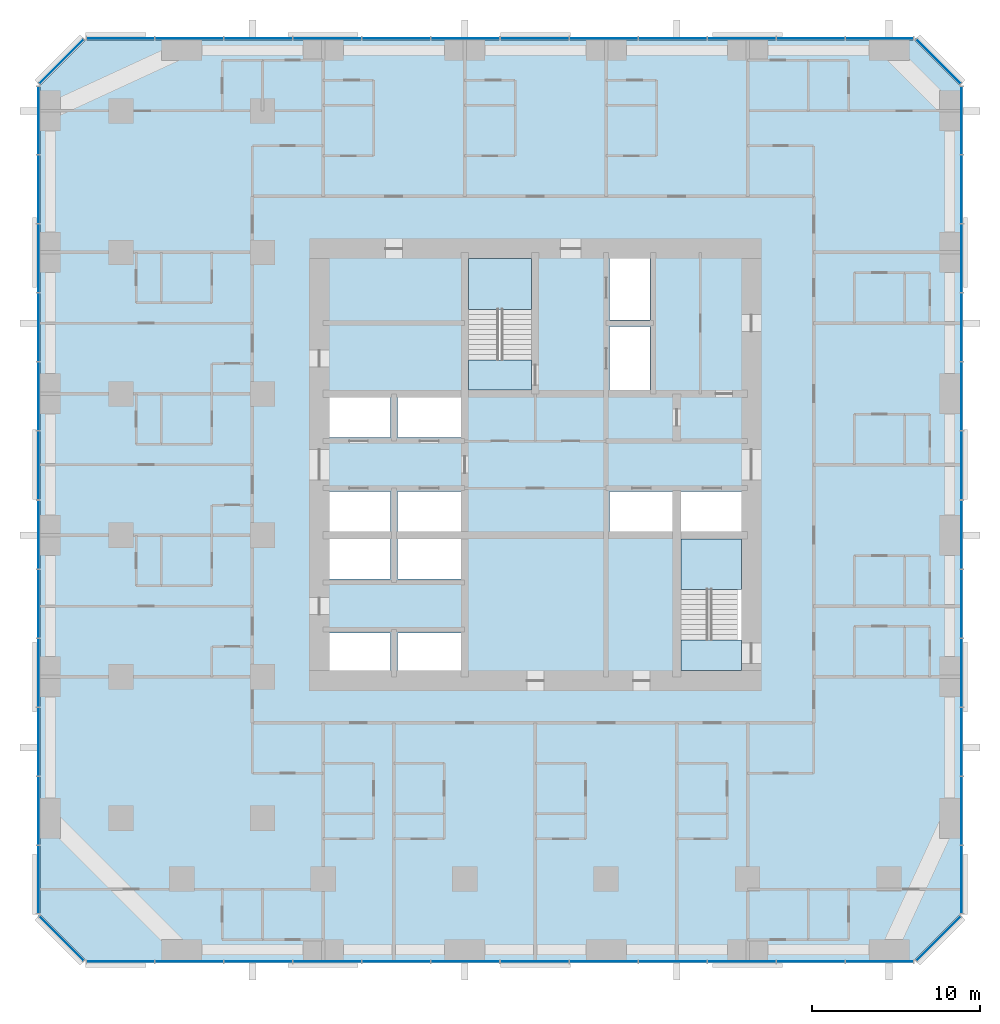
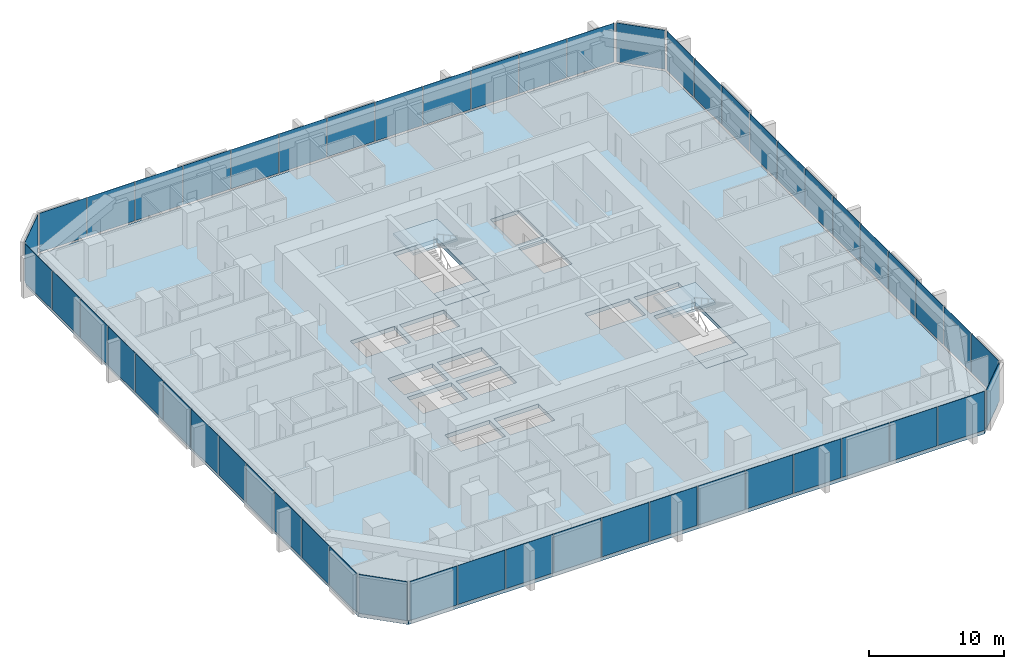
# One storey, part 7 of 14: 52 plates, 5 slabs, 10 elements without a shape of their own.
"""IFC4 building model written with IfcOpenShell, lengths in metres."""

from ifc_helpers import new_model, si_unit, direction, frame, origin, origin_2d, place, context, subcontext, project, spatial, polyline, rectangle, outline, extrude, material, layer, layer_set, type_object, element, aggregate, save


model = new_model("IFC4")

# Units and contexts
model_context = context("Model", 3, precision=1e-05, world=origin(), true_north=direction((0.0, 1.0)))
body_context = subcontext(model_context, "Body", "Model", "MODEL_VIEW")
ifc_project = project(units=[si_unit("LENGTHUNIT", "METRE"), si_unit("AREAUNIT", "SQUARE_METRE"), si_unit("VOLUMEUNIT", "CUBIC_METRE"), si_unit("PLANEANGLEUNIT", "RADIAN"), si_unit("MASSUNIT", "GRAM", prefix="KILO")], contexts=[model_context])

# Site, building, storey
site_placement = place(None, origin())
site = spatial("IfcSite", under=ifc_project, at=site_placement, CompositionType="ELEMENT")
building_placement = place(site_placement, origin())
building = spatial("IfcBuilding", under=site, at=building_placement, Name="Dunama Terrace Hotel", CompositionType="ELEMENT")
storey_placement = place(building_placement, frame((0.0, 0.0, 100.800048828125)))
storey = spatial("IfcBuildingStorey", under=building, at=storey_placement, Name="L25", CompositionType="ELEMENT", Elevation=100.800048828125)

# Curtain wall, plates
ifc_material_1 = material(Name="Aluminium curtain wall system", Category="aluminium")
curtain_wall_type = type_object("IfcCurtainWallType", Name="Unitised fritted glass wall CW-B", PredefinedType="NOTDEFINED", material=ifc_material_1)
curtain_wall_1_placement = place(storey_placement, origin())
curtain_wall_1 = element("IfcCurtainWall", 1, at=curtain_wall_1_placement, inside=storey, type_object=curtain_wall_type, Name="Unitised fritted glass wall CW-B L25", PredefinedType="NOTDEFINED")
ifc_material_2 = material(Name="Laminated glass", Category="glass")
ifc_layer_1 = layer(ifc_material_2, 0.030029296875)
ifc_layer_set_1 = layer_set([ifc_layer_1], Name="CWB clear glass panel")
plate_type_1 = type_object("IfcPlateType", Name="CWB clear glass panel", PredefinedType="CURTAIN_PANEL", material=ifc_layer_set_1)
plate_1_placement = place(storey_placement, frame((8.85009765625, -0.110107421875, 0.079833984375), z_axis=(0.0, 0.0, 1.0), x_axis=(1.0, 0.0, 0.0)))
plate_1 = element("IfcPlate", 2, at=plate_1_placement, type_object=plate_type_1, Name="CWB clear glass panel", PredefinedType="CURTAIN_PANEL", context=body_context, shape_type="SweptSolid", body=[
    extrude(rectangle(XDim=4.034912109375, YDim=0.030029296875, at=origin_2d()), origin(), (0.0, 0.0, 1.0), 3.52001953125),
])
plate_2_placement = place(storey_placement, frame((21.14990234375, -0.110107421875, 0.079833984375), z_axis=(0.0, 0.0, 1.0), x_axis=(1.0, 0.0, 0.0)))
plate_2 = element("IfcPlate", 3, at=plate_2_placement, type_object=plate_type_1, Name="CWB clear glass panel", PredefinedType="CURTAIN_PANEL", context=body_context, shape_type="SweptSolid", body=[
    extrude(rectangle(XDim=4.034912109375, YDim=0.030029296875, at=origin_2d()), origin(), (0.0, 0.0, 1.0), 3.52001953125),
])
plate_3_placement = place(storey_placement, frame((33.449951171875, -0.110107421875, 0.079833984375), z_axis=(0.0, 0.0, 1.0), x_axis=(1.0, 0.0, 0.0)))
plate_3 = element("IfcPlate", 4, at=plate_3_placement, type_object=plate_type_1, Name="CWB clear glass panel", PredefinedType="CURTAIN_PANEL", context=body_context, shape_type="SweptSolid", body=[
    extrude(rectangle(XDim=4.034912109375, YDim=0.030029296875, at=origin_2d()), origin(), (0.0, 0.0, 1.0), 3.52001953125),
])
plate_4_placement = place(storey_placement, frame((45.75, -0.110107421875, 0.079833984375), z_axis=(0.0, 0.0, 1.0), x_axis=(1.0, 0.0, 0.0)))
plate_4 = element("IfcPlate", 5, at=plate_4_placement, type_object=plate_type_1, Name="CWB clear glass panel", PredefinedType="CURTAIN_PANEL", context=body_context, shape_type="SweptSolid", body=[
    extrude(rectangle(XDim=4.034912109375, YDim=0.030029296875, at=origin_2d()), origin(), (0.0, 0.0, 1.0), 3.52001953125),
])

curtain_wall_2_placement = place(storey_placement, origin())
curtain_wall_2 = element("IfcCurtainWall", 6, at=curtain_wall_2_placement, inside=storey, type_object=curtain_wall_type, Name="Unitised fritted glass wall CW-B L25", PredefinedType="NOTDEFINED")
plate_5_placement = place(storey_placement, frame((54.7099609375, 4.76611328125, 0.079833984375), z_axis=(0.0, 0.0, 1.0), x_axis=(0.0, 1.0, 0.0)))
plate_5 = element("IfcPlate", 7, at=plate_5_placement, type_object=plate_type_1, Name="CWB clear glass panel", PredefinedType="CURTAIN_PANEL", context=body_context, shape_type="SweptSolid", body=[
    extrude(rectangle(XDim=4.00244140625, YDim=0.030029296875, at=origin_2d()), origin(), (0.0, 0.0, 1.0), 3.52001953125),
])
plate_6_placement = place(storey_placement, frame((54.7099609375, 17.050048828125, 0.079833984375), z_axis=(0.0, 0.0, 1.0), x_axis=(0.0, 1.0, 0.0)))
plate_6 = element("IfcPlate", 8, at=plate_6_placement, type_object=plate_type_1, Name="CWB clear glass panel", PredefinedType="CURTAIN_PANEL", context=body_context, shape_type="SweptSolid", body=[
    extrude(rectangle(XDim=4.034912109375, YDim=0.030029296875, at=origin_2d()), origin(), (0.0, 0.0, 1.0), 3.52001953125),
])
plate_7_placement = place(storey_placement, frame((54.7099609375, 29.35009765625, 0.079833984375), z_axis=(0.0, 0.0, 1.0), x_axis=(0.0, 1.0, 0.0)))
plate_7 = element("IfcPlate", 9, at=plate_7_placement, type_object=plate_type_1, Name="CWB clear glass panel", PredefinedType="CURTAIN_PANEL", context=body_context, shape_type="SweptSolid", body=[
    extrude(rectangle(XDim=4.034912109375, YDim=0.030029296875, at=origin_2d()), origin(), (0.0, 0.0, 1.0), 3.52001953125),
])
plate_8_placement = place(storey_placement, frame((54.7099609375, 41.64990234375, 0.079833984375), z_axis=(0.0, 0.0, 1.0), x_axis=(0.0, 1.0, 0.0)))
plate_8 = element("IfcPlate", 10, at=plate_8_placement, type_object=plate_type_1, Name="CWB clear glass panel", PredefinedType="CURTAIN_PANEL", context=body_context, shape_type="SweptSolid", body=[
    extrude(rectangle(XDim=4.034912109375, YDim=0.030029296875, at=origin_2d()), origin(), (0.0, 0.0, 1.0), 3.52001953125),
])

# Curtain wall, plate
curtain_wall_3_placement = place(storey_placement, origin())
curtain_wall_3 = element("IfcCurtainWall", 11, at=curtain_wall_3_placement, inside=storey, type_object=curtain_wall_type, Name="Unitised fritted glass wall CW-B L25", PredefinedType="NOTDEFINED")
plate_9_placement = place(storey_placement, frame((53.327880859375, 53.327880859375, 0.079833984375), z_axis=(0.0, 0.0, 1.0), x_axis=(-0.707106781187, 0.707106781187, 0.0)))
plate_9 = element("IfcPlate", 12, at=plate_9_placement, type_object=plate_type_1, Name="CWB clear glass panel", PredefinedType="CURTAIN_PANEL", context=body_context, shape_type="SweptSolid", body=[
    extrude(rectangle(XDim=3.6884765625, YDim=0.030029296875, at=origin_2d()), origin(), (0.0, 0.0, 1.0), 3.52001953125),
])
aggregate(curtain_wall_3, [plate_9])

# Curtain wall, plates
curtain_wall_4_placement = place(storey_placement, origin())
curtain_wall_4 = element("IfcCurtainWall", 13, at=curtain_wall_4_placement, inside=storey, type_object=curtain_wall_type, Name="Unitised fritted glass wall CW-B L25", PredefinedType="NOTDEFINED")
plate_10_placement = place(storey_placement, frame((41.64990234375, 54.7099609375, 0.079833984375), z_axis=(0.0, 0.0, 1.0), x_axis=(-1.0, 0.0, 0.0)))
plate_10 = element("IfcPlate", 14, at=plate_10_placement, type_object=plate_type_1, Name="CWB clear glass panel", PredefinedType="CURTAIN_PANEL", context=body_context, shape_type="SweptSolid", body=[
    extrude(rectangle(XDim=4.034912109375, YDim=0.030029296875, at=origin_2d()), origin(), (0.0, 0.0, 1.0), 3.52001953125),
])
plate_11_placement = place(storey_placement, frame((29.35009765625, 54.7099609375, 0.079833984375), z_axis=(0.0, 0.0, 1.0), x_axis=(-1.0, 0.0, 0.0)))
plate_11 = element("IfcPlate", 15, at=plate_11_placement, type_object=plate_type_1, Name="CWB clear glass panel", PredefinedType="CURTAIN_PANEL", context=body_context, shape_type="SweptSolid", body=[
    extrude(rectangle(XDim=4.034912109375, YDim=0.030029296875, at=origin_2d()), origin(), (0.0, 0.0, 1.0), 3.52001953125),
])
plate_12_placement = place(storey_placement, frame((17.050048828125, 54.7099609375, 0.079833984375), z_axis=(0.0, 0.0, 1.0), x_axis=(-1.0, 0.0, 0.0)))
plate_12 = element("IfcPlate", 16, at=plate_12_placement, type_object=plate_type_1, Name="CWB clear glass panel", PredefinedType="CURTAIN_PANEL", context=body_context, shape_type="SweptSolid", body=[
    extrude(rectangle(XDim=4.034912109375, YDim=0.030029296875, at=origin_2d()), origin(), (0.0, 0.0, 1.0), 3.52001953125),
])
plate_13_placement = place(storey_placement, frame((4.76611328125, 54.7099609375, 0.079833984375), z_axis=(0.0, 0.0, 1.0), x_axis=(-1.0, 0.0, 0.0)))
plate_13 = element("IfcPlate", 17, at=plate_13_placement, type_object=plate_type_1, Name="CWB clear glass panel", PredefinedType="CURTAIN_PANEL", context=body_context, shape_type="SweptSolid", body=[
    extrude(rectangle(XDim=4.00244140625, YDim=0.030029296875, at=origin_2d()), origin(), (0.0, 0.0, 1.0), 3.52001953125),
])

curtain_wall_5_placement = place(storey_placement, origin())
curtain_wall_5 = element("IfcCurtainWall", 18, at=curtain_wall_5_placement, inside=storey, type_object=curtain_wall_type, Name="Unitised fritted glass wall CW-B L25", PredefinedType="NOTDEFINED")
plate_14_placement = place(storey_placement, frame((-0.110107421875, 45.75, 0.079833984375), z_axis=(0.0, 0.0, 1.0), x_axis=(0.0, -1.0, 0.0)))
plate_14 = element("IfcPlate", 19, at=plate_14_placement, type_object=plate_type_1, Name="CWB clear glass panel", PredefinedType="CURTAIN_PANEL", context=body_context, shape_type="SweptSolid", body=[
    extrude(rectangle(XDim=4.034912109375, YDim=0.030029296875, at=origin_2d()), origin(), (0.0, 0.0, 1.0), 3.52001953125),
])
plate_15_placement = place(storey_placement, frame((-0.110107421875, 33.449951171875, 0.079833984375), z_axis=(0.0, 0.0, 1.0), x_axis=(0.0, -1.0, 0.0)))
plate_15 = element("IfcPlate", 20, at=plate_15_placement, type_object=plate_type_1, Name="CWB clear glass panel", PredefinedType="CURTAIN_PANEL", context=body_context, shape_type="SweptSolid", body=[
    extrude(rectangle(XDim=4.034912109375, YDim=0.030029296875, at=origin_2d()), origin(), (0.0, 0.0, 1.0), 3.52001953125),
])
plate_16_placement = place(storey_placement, frame((-0.110107421875, 21.14990234375, 0.079833984375), z_axis=(0.0, 0.0, 1.0), x_axis=(0.0, -1.0, 0.0)))
plate_16 = element("IfcPlate", 21, at=plate_16_placement, type_object=plate_type_1, Name="CWB clear glass panel", PredefinedType="CURTAIN_PANEL", context=body_context, shape_type="SweptSolid", body=[
    extrude(rectangle(XDim=4.034912109375, YDim=0.030029296875, at=origin_2d()), origin(), (0.0, 0.0, 1.0), 3.52001953125),
])
plate_17_placement = place(storey_placement, frame((-0.110107421875, 8.85009765625, 0.079833984375), z_axis=(0.0, 0.0, 1.0), x_axis=(0.0, -1.0, 0.0)))
plate_17 = element("IfcPlate", 22, at=plate_17_placement, type_object=plate_type_1, Name="CWB clear glass panel", PredefinedType="CURTAIN_PANEL", context=body_context, shape_type="SweptSolid", body=[
    extrude(rectangle(XDim=4.034912109375, YDim=0.030029296875, at=origin_2d()), origin(), (0.0, 0.0, 1.0), 3.52001953125),
])

# Plate
ifc_material_3 = material(Name="Fritted laminated glass", Category="glass")
ifc_layer_2 = layer(ifc_material_3, 0.030029296875)
ifc_layer_set_2 = layer_set([ifc_layer_2], Name="CWB fritted glass panel")
plate_type_2 = type_object("IfcPlateType", Name="CWB fritted glass panel", PredefinedType="CURTAIN_PANEL", material=ifc_layer_set_2)
plate_18_placement = place(storey_placement, frame((4.76611328125, -0.110107421875, 0.079833984375), z_axis=(0.0, 0.0, 1.0), x_axis=(1.0, 0.0, 0.0)))
plate_18 = element("IfcPlate", 23, at=plate_18_placement, type_object=plate_type_2, Name="CWB fritted glass panel", PredefinedType="CURTAIN_PANEL", context=body_context, shape_type="SweptSolid", body=[
    extrude(rectangle(XDim=4.00244140625, YDim=0.030029296875, at=origin_2d()), origin(), (0.0, 0.0, 1.0), 3.52001953125),
])

plate_19_placement = place(storey_placement, frame((17.050048828125, -0.110107421875, 0.079833984375), z_axis=(0.0, 0.0, 1.0), x_axis=(1.0, 0.0, 0.0)))
plate_19 = element("IfcPlate", 24, at=plate_19_placement, type_object=plate_type_2, Name="CWB fritted glass panel", PredefinedType="CURTAIN_PANEL", context=body_context, shape_type="SweptSolid", body=[
    extrude(rectangle(XDim=4.034912109375, YDim=0.030029296875, at=origin_2d()), origin(), (0.0, 0.0, 1.0), 3.52001953125),
])

plate_20_placement = place(storey_placement, frame((29.35009765625, -0.110107421875, 0.079833984375), z_axis=(0.0, 0.0, 1.0), x_axis=(1.0, 0.0, 0.0)))
plate_20 = element("IfcPlate", 25, at=plate_20_placement, type_object=plate_type_2, Name="CWB fritted glass panel", PredefinedType="CURTAIN_PANEL", context=body_context, shape_type="SweptSolid", body=[
    extrude(rectangle(XDim=4.034912109375, YDim=0.030029296875, at=origin_2d()), origin(), (0.0, 0.0, 1.0), 3.52001953125),
])

plate_21_placement = place(storey_placement, frame((41.64990234375, -0.110107421875, 0.079833984375), z_axis=(0.0, 0.0, 1.0), x_axis=(1.0, 0.0, 0.0)))
plate_21 = element("IfcPlate", 26, at=plate_21_placement, type_object=plate_type_2, Name="CWB fritted glass panel", PredefinedType="CURTAIN_PANEL", context=body_context, shape_type="SweptSolid", body=[
    extrude(rectangle(XDim=4.034912109375, YDim=0.030029296875, at=origin_2d()), origin(), (0.0, 0.0, 1.0), 3.52001953125),
])

# Curtain wall, plate
curtain_wall_6_placement = place(storey_placement, origin())
curtain_wall_6 = element("IfcCurtainWall", 27, at=curtain_wall_6_placement, inside=storey, type_object=curtain_wall_type, Name="Unitised fritted glass wall CW-B L25", PredefinedType="NOTDEFINED")
plate_22_placement = place(storey_placement, frame((53.327880859375, 1.27197265625, 0.079833984375), z_axis=(0.0, 0.0, 1.0), x_axis=(0.707106781187, 0.707106781187, 0.0)))
plate_22 = element("IfcPlate", 28, at=plate_22_placement, type_object=plate_type_2, Name="CWB fritted glass panel", PredefinedType="CURTAIN_PANEL", context=body_context, shape_type="SweptSolid", body=[
    extrude(rectangle(XDim=3.6884765625, YDim=0.030029296875, at=origin_2d()), origin(), (0.0, 0.0, 1.0), 3.52001953125),
])
aggregate(curtain_wall_6, [plate_22])

# Plate
plate_23_placement = place(storey_placement, frame((54.7099609375, 12.949951171875, 0.079833984375), z_axis=(0.0, 0.0, 1.0), x_axis=(0.0, 1.0, 0.0)))
plate_23 = element("IfcPlate", 29, at=plate_23_placement, type_object=plate_type_2, Name="CWB fritted glass panel", PredefinedType="CURTAIN_PANEL", context=body_context, shape_type="SweptSolid", body=[
    extrude(rectangle(XDim=4.034912109375, YDim=0.030029296875, at=origin_2d()), origin(), (0.0, 0.0, 1.0), 3.52001953125),
])

plate_24_placement = place(storey_placement, frame((54.7099609375, 25.25, 0.079833984375), z_axis=(0.0, 0.0, 1.0), x_axis=(0.0, 1.0, 0.0)))
plate_24 = element("IfcPlate", 30, at=plate_24_placement, type_object=plate_type_2, Name="CWB fritted glass panel", PredefinedType="CURTAIN_PANEL", context=body_context, shape_type="SweptSolid", body=[
    extrude(rectangle(XDim=4.034912109375, YDim=0.030029296875, at=origin_2d()), origin(), (0.0, 0.0, 1.0), 3.52001953125),
])

plate_25_placement = place(storey_placement, frame((54.7099609375, 37.550048828125, 0.079833984375), z_axis=(0.0, 0.0, 1.0), x_axis=(0.0, 1.0, 0.0)))
plate_25 = element("IfcPlate", 31, at=plate_25_placement, type_object=plate_type_2, Name="CWB fritted glass panel", PredefinedType="CURTAIN_PANEL", context=body_context, shape_type="SweptSolid", body=[
    extrude(rectangle(XDim=4.034912109375, YDim=0.030029296875, at=origin_2d()), origin(), (0.0, 0.0, 1.0), 3.52001953125),
])

plate_26_placement = place(storey_placement, frame((54.7099609375, 49.833984375, 0.079833984375), z_axis=(0.0, 0.0, 1.0), x_axis=(0.0, 1.0, 0.0)))
plate_26 = element("IfcPlate", 32, at=plate_26_placement, type_object=plate_type_2, Name="CWB fritted glass panel", PredefinedType="CURTAIN_PANEL", context=body_context, shape_type="SweptSolid", body=[
    extrude(rectangle(XDim=4.00244140625, YDim=0.030029296875, at=origin_2d()), origin(), (0.0, 0.0, 1.0), 3.52001953125),
])

plate_27_placement = place(storey_placement, frame((45.75, 54.7099609375, 0.079833984375), z_axis=(0.0, 0.0, 1.0), x_axis=(-1.0, 0.0, 0.0)))
plate_27 = element("IfcPlate", 33, at=plate_27_placement, type_object=plate_type_2, Name="CWB fritted glass panel", PredefinedType="CURTAIN_PANEL", context=body_context, shape_type="SweptSolid", body=[
    extrude(rectangle(XDim=4.034912109375, YDim=0.030029296875, at=origin_2d()), origin(), (0.0, 0.0, 1.0), 3.52001953125),
])

plate_28_placement = place(storey_placement, frame((33.449951171875, 54.7099609375, 0.079833984375), z_axis=(0.0, 0.0, 1.0), x_axis=(-1.0, 0.0, 0.0)))
plate_28 = element("IfcPlate", 34, at=plate_28_placement, type_object=plate_type_2, Name="CWB fritted glass panel", PredefinedType="CURTAIN_PANEL", context=body_context, shape_type="SweptSolid", body=[
    extrude(rectangle(XDim=4.034912109375, YDim=0.030029296875, at=origin_2d()), origin(), (0.0, 0.0, 1.0), 3.52001953125),
])

plate_29_placement = place(storey_placement, frame((21.14990234375, 54.7099609375, 0.079833984375), z_axis=(0.0, 0.0, 1.0), x_axis=(-1.0, 0.0, 0.0)))
plate_29 = element("IfcPlate", 35, at=plate_29_placement, type_object=plate_type_2, Name="CWB fritted glass panel", PredefinedType="CURTAIN_PANEL", context=body_context, shape_type="SweptSolid", body=[
    extrude(rectangle(XDim=4.034912109375, YDim=0.030029296875, at=origin_2d()), origin(), (0.0, 0.0, 1.0), 3.52001953125),
])

plate_30_placement = place(storey_placement, frame((8.85009765625, 54.7099609375, 0.079833984375), z_axis=(0.0, 0.0, 1.0), x_axis=(-1.0, 0.0, 0.0)))
plate_30 = element("IfcPlate", 36, at=plate_30_placement, type_object=plate_type_2, Name="CWB fritted glass panel", PredefinedType="CURTAIN_PANEL", context=body_context, shape_type="SweptSolid", body=[
    extrude(rectangle(XDim=4.034912109375, YDim=0.030029296875, at=origin_2d()), origin(), (0.0, 0.0, 1.0), 3.52001953125),
])

plate_31_placement = place(storey_placement, frame((-0.110107421875, 49.833984375, 0.079833984375), z_axis=(0.0, 0.0, 1.0), x_axis=(0.0, -1.0, 0.0)))
plate_31 = element("IfcPlate", 37, at=plate_31_placement, type_object=plate_type_2, Name="CWB fritted glass panel", PredefinedType="CURTAIN_PANEL", context=body_context, shape_type="SweptSolid", body=[
    extrude(rectangle(XDim=4.00244140625, YDim=0.030029296875, at=origin_2d()), origin(), (0.0, 0.0, 1.0), 3.52001953125),
])

plate_32_placement = place(storey_placement, frame((-0.110107421875, 37.550048828125, 0.079833984375), z_axis=(0.0, 0.0, 1.0), x_axis=(0.0, -1.0, 0.0)))
plate_32 = element("IfcPlate", 38, at=plate_32_placement, type_object=plate_type_2, Name="CWB fritted glass panel", PredefinedType="CURTAIN_PANEL", context=body_context, shape_type="SweptSolid", body=[
    extrude(rectangle(XDim=4.034912109375, YDim=0.030029296875, at=origin_2d()), origin(), (0.0, 0.0, 1.0), 3.52001953125),
])

plate_33_placement = place(storey_placement, frame((-0.110107421875, 25.25, 0.079833984375), z_axis=(0.0, 0.0, 1.0), x_axis=(0.0, -1.0, 0.0)))
plate_33 = element("IfcPlate", 39, at=plate_33_placement, type_object=plate_type_2, Name="CWB fritted glass panel", PredefinedType="CURTAIN_PANEL", context=body_context, shape_type="SweptSolid", body=[
    extrude(rectangle(XDim=4.034912109375, YDim=0.030029296875, at=origin_2d()), origin(), (0.0, 0.0, 1.0), 3.52001953125),
])

plate_34_placement = place(storey_placement, frame((-0.110107421875, 12.949951171875, 0.079833984375), z_axis=(0.0, 0.0, 1.0), x_axis=(0.0, -1.0, 0.0)))
plate_34 = element("IfcPlate", 40, at=plate_34_placement, type_object=plate_type_2, Name="CWB fritted glass panel", PredefinedType="CURTAIN_PANEL", context=body_context, shape_type="SweptSolid", body=[
    extrude(rectangle(XDim=4.034912109375, YDim=0.030029296875, at=origin_2d()), origin(), (0.0, 0.0, 1.0), 3.52001953125),
])

# Curtain wall, plate
curtain_wall_7_placement = place(storey_placement, origin())
curtain_wall_7 = element("IfcCurtainWall", 41, at=curtain_wall_7_placement, inside=storey, type_object=curtain_wall_type, Name="Unitised fritted glass wall CW-B L25", PredefinedType="NOTDEFINED")
plate_35_placement = place(storey_placement, frame((1.27197265625, 1.27197265625, 0.079833984375), z_axis=(0.0, 0.0, 1.0), x_axis=(0.707106781187, -0.707106781187, 0.0)))
plate_35 = element("IfcPlate", 42, at=plate_35_placement, type_object=plate_type_2, Name="CWB fritted glass panel", PredefinedType="CURTAIN_PANEL", context=body_context, shape_type="SweptSolid", body=[
    extrude(rectangle(XDim=3.6884765625, YDim=0.030029296875, at=origin_2d()), origin(), (0.0, 0.0, 1.0), 3.52001953125),
])
aggregate(curtain_wall_7, [plate_35])

# Plate
ifc_material_4 = material(Name="Laminated glass", Category="glass")
ifc_layer_3 = layer(ifc_material_4, 0.030029296875)
ifc_layer_set_3 = layer_set([ifc_layer_3], Name="CWB operable glass panel")
plate_type_3 = type_object("IfcPlateType", Name="CWB operable glass panel", PredefinedType="CURTAIN_PANEL", material=ifc_layer_set_3)
plate_36_placement = place(storey_placement, frame((12.949951171875, -0.110107421875, 0.079833984375), z_axis=(0.0, 0.0, 1.0), x_axis=(1.0, 0.0, 0.0)))
plate_36 = element("IfcPlate", 43, at=plate_36_placement, type_object=plate_type_3, Name="CWB operable glass panel", PredefinedType="CURTAIN_PANEL", context=body_context, shape_type="SweptSolid", body=[
    extrude(rectangle(XDim=4.034912109375, YDim=0.030029296875, at=origin_2d()), origin(), (0.0, 0.0, 1.0), 3.52001953125),
])

plate_37_placement = place(storey_placement, frame((25.25, -0.110107421875, 0.079833984375), z_axis=(0.0, 0.0, 1.0), x_axis=(1.0, 0.0, 0.0)))
plate_37 = element("IfcPlate", 44, at=plate_37_placement, type_object=plate_type_3, Name="CWB operable glass panel", PredefinedType="CURTAIN_PANEL", context=body_context, shape_type="SweptSolid", body=[
    extrude(rectangle(XDim=4.034912109375, YDim=0.030029296875, at=origin_2d()), origin(), (0.0, 0.0, 1.0), 3.52001953125),
])

plate_38_placement = place(storey_placement, frame((37.550048828125, -0.110107421875, 0.079833984375), z_axis=(0.0, 0.0, 1.0), x_axis=(1.0, 0.0, 0.0)))
plate_38 = element("IfcPlate", 45, at=plate_38_placement, type_object=plate_type_3, Name="CWB operable glass panel", PredefinedType="CURTAIN_PANEL", context=body_context, shape_type="SweptSolid", body=[
    extrude(rectangle(XDim=4.034912109375, YDim=0.030029296875, at=origin_2d()), origin(), (0.0, 0.0, 1.0), 3.52001953125),
])

plate_39_placement = place(storey_placement, frame((49.833984375, -0.110107421875, 0.079833984375), z_axis=(0.0, 0.0, 1.0), x_axis=(1.0, 0.0, 0.0)))
plate_39 = element("IfcPlate", 46, at=plate_39_placement, type_object=plate_type_3, Name="CWB operable glass panel", PredefinedType="CURTAIN_PANEL", context=body_context, shape_type="SweptSolid", body=[
    extrude(rectangle(XDim=4.00244140625, YDim=0.030029296875, at=origin_2d()), origin(), (0.0, 0.0, 1.0), 3.52001953125),
])

aggregate(curtain_wall_1, [plate_18, plate_1, plate_36, plate_19, plate_2, plate_37, plate_20, plate_3, plate_38, plate_21, plate_4, plate_39])

plate_40_placement = place(storey_placement, frame((54.7099609375, 8.85009765625, 0.079833984375), z_axis=(0.0, 0.0, 1.0), x_axis=(0.0, 1.0, 0.0)))
plate_40 = element("IfcPlate", 47, at=plate_40_placement, type_object=plate_type_3, Name="CWB operable glass panel", PredefinedType="CURTAIN_PANEL", context=body_context, shape_type="SweptSolid", body=[
    extrude(rectangle(XDim=4.034912109375, YDim=0.030029296875, at=origin_2d()), origin(), (0.0, 0.0, 1.0), 3.52001953125),
])

plate_41_placement = place(storey_placement, frame((54.7099609375, 21.14990234375, 0.079833984375), z_axis=(0.0, 0.0, 1.0), x_axis=(0.0, 1.0, 0.0)))
plate_41 = element("IfcPlate", 48, at=plate_41_placement, type_object=plate_type_3, Name="CWB operable glass panel", PredefinedType="CURTAIN_PANEL", context=body_context, shape_type="SweptSolid", body=[
    extrude(rectangle(XDim=4.034912109375, YDim=0.030029296875, at=origin_2d()), origin(), (0.0, 0.0, 1.0), 3.52001953125),
])

plate_42_placement = place(storey_placement, frame((54.7099609375, 33.449951171875, 0.079833984375), z_axis=(0.0, 0.0, 1.0), x_axis=(0.0, 1.0, 0.0)))
plate_42 = element("IfcPlate", 49, at=plate_42_placement, type_object=plate_type_3, Name="CWB operable glass panel", PredefinedType="CURTAIN_PANEL", context=body_context, shape_type="SweptSolid", body=[
    extrude(rectangle(XDim=4.034912109375, YDim=0.030029296875, at=origin_2d()), origin(), (0.0, 0.0, 1.0), 3.52001953125),
])

plate_43_placement = place(storey_placement, frame((54.7099609375, 45.75, 0.079833984375), z_axis=(0.0, 0.0, 1.0), x_axis=(0.0, 1.0, 0.0)))
plate_43 = element("IfcPlate", 50, at=plate_43_placement, type_object=plate_type_3, Name="CWB operable glass panel", PredefinedType="CURTAIN_PANEL", context=body_context, shape_type="SweptSolid", body=[
    extrude(rectangle(XDim=4.034912109375, YDim=0.030029296875, at=origin_2d()), origin(), (0.0, 0.0, 1.0), 3.52001953125),
])

aggregate(curtain_wall_2, [plate_5, plate_40, plate_23, plate_6, plate_41, plate_24, plate_7, plate_42, plate_25, plate_8, plate_43, plate_26])

plate_44_placement = place(storey_placement, frame((49.833984375, 54.7099609375, 0.079833984375), z_axis=(0.0, 0.0, 1.0), x_axis=(-1.0, 0.0, 0.0)))
plate_44 = element("IfcPlate", 51, at=plate_44_placement, type_object=plate_type_3, Name="CWB operable glass panel", PredefinedType="CURTAIN_PANEL", context=body_context, shape_type="SweptSolid", body=[
    extrude(rectangle(XDim=4.00244140625, YDim=0.030029296875, at=origin_2d()), origin(), (0.0, 0.0, 1.0), 3.52001953125),
])

plate_45_placement = place(storey_placement, frame((37.550048828125, 54.7099609375, 0.079833984375), z_axis=(0.0, 0.0, 1.0), x_axis=(-1.0, 0.0, 0.0)))
plate_45 = element("IfcPlate", 52, at=plate_45_placement, type_object=plate_type_3, Name="CWB operable glass panel", PredefinedType="CURTAIN_PANEL", context=body_context, shape_type="SweptSolid", body=[
    extrude(rectangle(XDim=4.034912109375, YDim=0.030029296875, at=origin_2d()), origin(), (0.0, 0.0, 1.0), 3.52001953125),
])

plate_46_placement = place(storey_placement, frame((25.25, 54.7099609375, 0.079833984375), z_axis=(0.0, 0.0, 1.0), x_axis=(-1.0, 0.0, 0.0)))
plate_46 = element("IfcPlate", 53, at=plate_46_placement, type_object=plate_type_3, Name="CWB operable glass panel", PredefinedType="CURTAIN_PANEL", context=body_context, shape_type="SweptSolid", body=[
    extrude(rectangle(XDim=4.034912109375, YDim=0.030029296875, at=origin_2d()), origin(), (0.0, 0.0, 1.0), 3.52001953125),
])

plate_47_placement = place(storey_placement, frame((12.949951171875, 54.7099609375, 0.079833984375), z_axis=(0.0, 0.0, 1.0), x_axis=(-1.0, 0.0, 0.0)))
plate_47 = element("IfcPlate", 54, at=plate_47_placement, type_object=plate_type_3, Name="CWB operable glass panel", PredefinedType="CURTAIN_PANEL", context=body_context, shape_type="SweptSolid", body=[
    extrude(rectangle(XDim=4.034912109375, YDim=0.030029296875, at=origin_2d()), origin(), (0.0, 0.0, 1.0), 3.52001953125),
])

aggregate(curtain_wall_4, [plate_44, plate_27, plate_10, plate_45, plate_28, plate_11, plate_46, plate_29, plate_12, plate_47, plate_30, plate_13])

# Curtain wall, plate
curtain_wall_8_placement = place(storey_placement, origin())
curtain_wall_8 = element("IfcCurtainWall", 55, at=curtain_wall_8_placement, inside=storey, type_object=curtain_wall_type, Name="Unitised fritted glass wall CW-B L25", PredefinedType="NOTDEFINED")
plate_48_placement = place(storey_placement, frame((1.27197265625, 53.327880859375, 0.079833984375), z_axis=(0.0, 0.0, 1.0), x_axis=(-0.707106781187, -0.707106781187, 0.0)))
plate_48 = element("IfcPlate", 56, at=plate_48_placement, type_object=plate_type_3, Name="CWB operable glass panel", PredefinedType="CURTAIN_PANEL", context=body_context, shape_type="SweptSolid", body=[
    extrude(rectangle(XDim=3.6884765625, YDim=0.030029296875, at=origin_2d()), origin(), (0.0, 0.0, 1.0), 3.52001953125),
])
aggregate(curtain_wall_8, [plate_48])

# Plate
plate_49_placement = place(storey_placement, frame((-0.110107421875, 41.64990234375, 0.079833984375), z_axis=(0.0, 0.0, 1.0), x_axis=(0.0, -1.0, 0.0)))
plate_49 = element("IfcPlate", 57, at=plate_49_placement, type_object=plate_type_3, Name="CWB operable glass panel", PredefinedType="CURTAIN_PANEL", context=body_context, shape_type="SweptSolid", body=[
    extrude(rectangle(XDim=4.034912109375, YDim=0.030029296875, at=origin_2d()), origin(), (0.0, 0.0, 1.0), 3.52001953125),
])

plate_50_placement = place(storey_placement, frame((-0.110107421875, 29.35009765625, 0.079833984375), z_axis=(0.0, 0.0, 1.0), x_axis=(0.0, -1.0, 0.0)))
plate_50 = element("IfcPlate", 58, at=plate_50_placement, type_object=plate_type_3, Name="CWB operable glass panel", PredefinedType="CURTAIN_PANEL", context=body_context, shape_type="SweptSolid", body=[
    extrude(rectangle(XDim=4.034912109375, YDim=0.030029296875, at=origin_2d()), origin(), (0.0, 0.0, 1.0), 3.52001953125),
])

plate_51_placement = place(storey_placement, frame((-0.110107421875, 17.050048828125, 0.079833984375), z_axis=(0.0, 0.0, 1.0), x_axis=(0.0, -1.0, 0.0)))
plate_51 = element("IfcPlate", 59, at=plate_51_placement, type_object=plate_type_3, Name="CWB operable glass panel", PredefinedType="CURTAIN_PANEL", context=body_context, shape_type="SweptSolid", body=[
    extrude(rectangle(XDim=4.034912109375, YDim=0.030029296875, at=origin_2d()), origin(), (0.0, 0.0, 1.0), 3.52001953125),
])

plate_52_placement = place(storey_placement, frame((-0.110107421875, 4.76611328125, 0.079833984375), z_axis=(0.0, 0.0, 1.0), x_axis=(0.0, -1.0, 0.0)))
plate_52 = element("IfcPlate", 60, at=plate_52_placement, type_object=plate_type_3, Name="CWB operable glass panel", PredefinedType="CURTAIN_PANEL", context=body_context, shape_type="SweptSolid", body=[
    extrude(rectangle(XDim=4.00244140625, YDim=0.030029296875, at=origin_2d()), origin(), (0.0, 0.0, 1.0), 3.52001953125),
])

aggregate(curtain_wall_5, [plate_31, plate_14, plate_49, plate_32, plate_15, plate_50, plate_33, plate_16, plate_51, plate_34, plate_17, plate_52])

# Slab
ifc_material_5 = material(Name="Concrete C40/50", Category="concrete")
ifc_layer_4 = layer(ifc_material_5, 0.35009765625)
ifc_layer_set_4 = layer_set([ifc_layer_4], Name="Flat plate 350")
slab_type_1 = type_object("IfcSlabType", Name="Flat plate 350", PredefinedType="FLOOR", material=ifc_layer_set_4)
slab_1_placement = place(storey_placement, frame((0.0, 0.0, -0.35009765625)))
element("IfcSlab", 61, at=slab_1_placement, inside=storey, type_object=slab_type_1, Name="Floor slab L25", PredefinedType="FLOOR", context=body_context, shape_type="SweptSolid", body=[
    extrude(outline(polyline([(2.699951171875, 0.0), (51.89990234375, 0.0), (54.60009765625, 2.699951171875), (54.60009765625, 51.89990234375), (51.89990234375, 54.60009765625), (2.699951171875, 54.60009765625), (0.0, 51.89990234375), (0.0, 2.699951171875), (2.699951171875, 0.0)]), holes=[polyline([(37.60009765625, 25.39990234375), (37.60009765625, 27.800048828125), (33.800048828125, 27.800048828125), (33.800048828125, 25.39990234375), (37.60009765625, 25.39990234375)]), polyline([(41.800048828125, 25.39990234375), (41.800048828125, 27.800048828125), (38.0, 27.800048828125), (38.0, 25.39990234375), (41.800048828125, 25.39990234375)]), polyline([(20.800048828125, 17.0), (20.800048828125, 19.39990234375), (17.0, 19.39990234375), (17.0, 17.0), (20.800048828125, 17.0)]), polyline([(25.0, 17.0), (25.0, 19.39990234375), (21.199951171875, 19.39990234375), (21.199951171875, 17.0), (25.0, 17.0)]), polyline([(20.800048828125, 22.60009765625), (20.800048828125, 25.0), (17.0, 25.0), (17.0, 22.60009765625), (20.800048828125, 22.60009765625)]), polyline([(25.0, 22.60009765625), (25.0, 25.0), (21.199951171875, 25.0), (21.199951171875, 22.60009765625), (25.0, 22.60009765625)]), polyline([(20.800048828125, 25.39990234375), (20.800048828125, 27.800048828125), (17.0, 27.800048828125), (17.0, 25.39990234375), (20.800048828125, 25.39990234375)]), polyline([(25.0, 25.39990234375), (25.0, 27.800048828125), (21.199951171875, 27.800048828125), (21.199951171875, 25.39990234375), (25.0, 25.39990234375)]), polyline([(20.800048828125, 31.0), (20.800048828125, 33.39990234375), (17.0, 33.39990234375), (17.0, 31.0), (20.800048828125, 31.0)]), polyline([(25.0, 31.0), (25.0, 33.39990234375), (21.199951171875, 33.39990234375), (21.199951171875, 31.0), (25.0, 31.0)]), polyline([(36.199951171875, 38.0), (36.199951171875, 41.800048828125), (33.800048828125, 41.800048828125), (33.800048828125, 38.0), (36.199951171875, 38.0)]), polyline([(36.199951171875, 33.800048828125), (36.199951171875, 37.60009765625), (33.800048828125, 37.60009765625), (33.800048828125, 33.800048828125), (36.199951171875, 33.800048828125)]), polyline([(29.175048828125, 33.824951171875), (29.175048828125, 41.625), (25.425048828125, 41.625), (25.425048828125, 33.824951171875), (29.175048828125, 33.824951171875)]), polyline([(41.625, 17.175048828125), (41.625, 24.97509765625), (38.050048828125, 24.97509765625), (38.050048828125, 17.175048828125), (41.625, 17.175048828125)])]), origin(), (0.0, 0.0, 1.0), 0.35009765625),
])

# Stair, slabs
ifc_material_6 = material(Name="Concrete C40/50", Category="concrete")
stair_type_1 = type_object("IfcStairType", Name="Stair ST1-3600-1800", PredefinedType="HALF_TURN_STAIR", material=ifc_material_6)
stair_1_placement = place(storey_placement, origin())
stair_1 = element("IfcStair", 62, at=stair_1_placement, inside=storey, type_object=stair_type_1, Name="Stair ST1 L25", PredefinedType="HALF_TURN_STAIR")
ifc_material_7 = material(Name="Concrete C40/50", Category="concrete")
ifc_layer_5 = layer(ifc_material_7, 0.199951171875)
ifc_layer_set_5 = layer_set([ifc_layer_5], Name="Stair landing 200")
slab_type_2 = type_object("IfcSlabType", Name="Stair landing 200", PredefinedType="LANDING", material=ifc_layer_set_5)
slab_2_placement = place(storey_placement, frame((0.0, 0.0, -0.199951171875)))
slab_2 = element("IfcSlab", 63, at=slab_2_placement, type_object=slab_type_2, Name="ST1 landing 1, type S10", PredefinedType="LANDING", context=body_context, shape_type="SweptSolid", body=[
    extrude(outline(polyline([(25.425048828125, 33.824951171875), (29.175048828125, 33.824951171875), (29.175048828125, 35.625), (25.425048828125, 35.625), (25.425048828125, 33.824951171875)])), origin(), (0.0, 0.0, 1.0), 0.199951171875),
])
slab_3_placement = place(storey_placement, frame((0.0, 0.0, 1.599853515625)))
slab_3 = element("IfcSlab", 64, at=slab_3_placement, type_object=slab_type_2, Name="ST1 landing 2, type S10", PredefinedType="LANDING", context=body_context, shape_type="SweptSolid", body=[
    extrude(outline(polyline([(25.425048828125, 38.625), (29.175048828125, 38.625), (29.175048828125, 41.625), (25.425048828125, 41.625), (25.425048828125, 38.625)])), origin(), (0.0, 0.0, 1.0), 0.2001953125),
])
aggregate(stair_1, [slab_2, slab_3])

ifc_material_8 = material(Name="Concrete C40/50", Category="concrete")
stair_type_2 = type_object("IfcStairType", Name="Stair ST2-3600-1600", PredefinedType="HALF_TURN_STAIR", material=ifc_material_8)
stair_2_placement = place(storey_placement, origin())
stair_2 = element("IfcStair", 65, at=stair_2_placement, inside=storey, type_object=stair_type_2, Name="Stair ST2 L25", PredefinedType="HALF_TURN_STAIR")
slab_4_placement = place(storey_placement, frame((0.0, 0.0, -0.199951171875)))
slab_4 = element("IfcSlab", 66, at=slab_4_placement, type_object=slab_type_2, Name="ST2 landing 1, type S10", PredefinedType="LANDING", context=body_context, shape_type="SweptSolid", body=[
    extrude(outline(polyline([(38.050048828125, 17.175048828125), (41.625, 17.175048828125), (41.625, 19.0), (38.050048828125, 19.0), (38.050048828125, 17.175048828125)])), origin(), (0.0, 0.0, 1.0), 0.199951171875),
])
slab_5_placement = place(storey_placement, frame((0.0, 0.0, 1.599853515625)))
slab_5 = element("IfcSlab", 67, at=slab_5_placement, type_object=slab_type_2, Name="ST2 landing 2, type S10", PredefinedType="LANDING", context=body_context, shape_type="SweptSolid", body=[
    extrude(outline(polyline([(38.050048828125, 22.0), (41.625, 22.0), (41.625, 24.97509765625), (38.050048828125, 24.97509765625), (38.050048828125, 22.0)])), origin(), (0.0, 0.0, 1.0), 0.2001953125),
])
aggregate(stair_2, [slab_4, slab_5])

save(model, "model.ifc")
